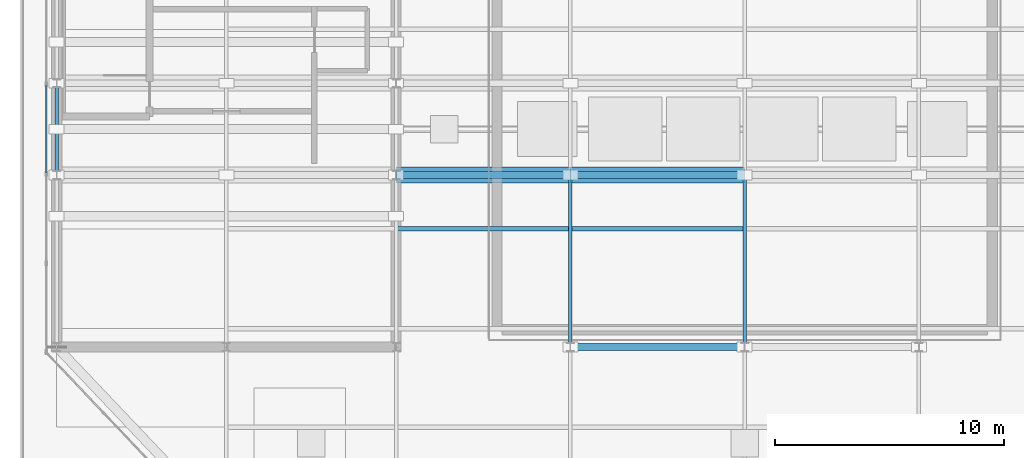
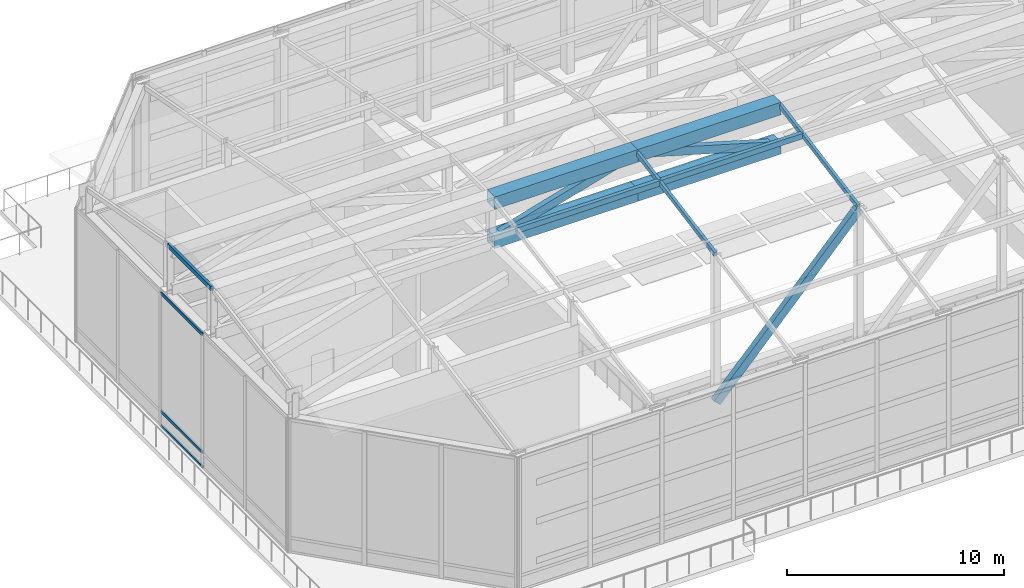
# One storey, part 7 of 25: 14 members, 1 element without a shape of its own.
"""IFC4 building model written with IfcOpenShell, lengths in metres."""

from ifc_helpers import new_model, si_unit, direction, frame, origin, origin_2d, place, context, subcontext, project, spatial, hollow_rectangle, extrude, source, transform, mapped, material, layer, layer_set, material_profile, profile_set, type_object, type_shapes, element, aggregate, save


model = new_model("IFC4")

# Units and contexts
model_context = context("Model", 3, precision=1e-05, world=origin(), true_north=direction((0.0, 1.0)))
body_context = subcontext(model_context, "Body", "Model", "MODEL_VIEW")
ifc_project = project(units=[si_unit("LENGTHUNIT", "METRE"), si_unit("AREAUNIT", "SQUARE_METRE"), si_unit("VOLUMEUNIT", "CUBIC_METRE"), si_unit("PLANEANGLEUNIT", "RADIAN"), si_unit("MASSUNIT", "GRAM", prefix="KILO")], contexts=[model_context])

# Site, building, storey
site_placement = place(None, origin())
site = spatial("IfcSite", under=ifc_project, at=site_placement, CompositionType="ELEMENT")
building_placement = place(site_placement, origin())
building = spatial("IfcBuilding", under=site, at=building_placement, Name="Haelvirn Gate Laboratories", CompositionType="ELEMENT")
storey_placement = place(building_placement, frame((0.0, 0.0, 337.800048828125)))
storey = spatial("IfcBuildingStorey", under=building, at=storey_placement, Name="RF", CompositionType="ELEMENT", Elevation=337.800048828125)

# Members
ifc_material_1 = material(Name="Steel SM420", Category="steel")
ifc_material_profile_1 = material_profile(ifc_material_1, hollow_rectangle(XDim=0.300048828125, YDim=0.449951171875, WallThickness=0.02001953125, at=origin_2d()), Name="BOX-450x300x20")
ifc_profile_set_1 = profile_set([ifc_material_profile_1], Name="Steel SM420")
member_type_1 = type_object("IfcMemberType", Name="MEM-CROWN-BR", PredefinedType="USERDEFINED", material=ifc_profile_set_1)
shared_shape_1 = source(origin(), body_context, "Body", "SweptSolid", [
    extrude(hollow_rectangle(XDim=0.300048828125, YDim=0.449951171875, WallThickness=0.02001953125, at=origin_2d()), origin(), (0.0, 0.0, 1.0), 11.1884765625),
])
member_1_placement = place(storey_placement, frame((29.800048828125, 14.800048828125, 0.300048828125), z_axis=(0.679259204287, 0.0, 0.733898448964), x_axis=(0.0, 1.0, 0.0)))
element("IfcMember", 1, at=member_1_placement, inside=storey, type_object=member_type_1, Name="RF Crown Frame Interior Brace S1", ObjectType="CROWN FRAME", PredefinedType="USERDEFINED", context=body_context, shape_type="MappedRepresentation", body=[
    mapped(shared_shape_1, transform((0.0, 0.0, 0.0), scale=1.0)),
])
ifc_material_profile_2 = material_profile(ifc_material_1, hollow_rectangle(XDim=0.699951171875, YDim=0.699951171875, WallThickness=0.031982421875, at=origin_2d()), Name="BOX-700x700x32")
ifc_profile_set_2 = profile_set([ifc_material_profile_2], Name="Steel SM420")
member_type_2 = type_object("IfcMemberType", Name="MEM-ARCH-RIB", PredefinedType="CHORD", material=ifc_profile_set_2)
shared_shape_2 = source(origin(), body_context, "Body", "SweptSolid", [
    extrude(hollow_rectangle(XDim=0.699951171875, YDim=0.699951171875, WallThickness=0.031982421875, at=origin_2d()), origin(), (0.0, 0.0, 1.0), 7.60009765625),
])
for number, where, z_axis, x_axis, name in (
    (2, (22.199951171875, 22.300048828125, 9.75537109375), (1.0, 0.0, 0.0), (0.0, 1.0, 0.0), "RF Vault Ridge Top Chord S-3"),
    (3, (22.199951171875, 22.300048828125, 7.550048828125), (1.0, 0.0, 0.0), (0.0, 1.0, 0.0), "RF Vault Ridge Bottom Chord S-3"),
):
    element("IfcMember", number, at=place(storey_placement, frame(where, z_axis=z_axis, x_axis=x_axis)), inside=storey, type_object=member_type_2, Name=name, PredefinedType="CHORD", context=body_context, shape_type="MappedRepresentation", body=[
        mapped(shared_shape_2, transform((0.0, 0.0, 0.0), scale=1.0)),
    ])
shared_shape_3 = source(origin(), body_context, "Body", "SweptSolid", [
    extrude(hollow_rectangle(XDim=0.300048828125, YDim=0.449951171875, WallThickness=0.02001953125, at=origin_2d()), origin(), (0.0, 0.0, 1.0), 7.91357421875),
])
member_2_placement = place(storey_placement, frame((22.199951171875, 22.300048828125, 7.550048828125), z_axis=(0.960385387725, 0.0, 0.278675271677), x_axis=(0.0, 1.0, 0.0)))
element("IfcMember", 4, at=member_2_placement, inside=storey, type_object=member_type_1, Name="RF Vault Ridge Truss Web S-3", ObjectType="CROWN FRAME", PredefinedType="USERDEFINED", context=body_context, shape_type="MappedRepresentation", body=[
    mapped(shared_shape_3, transform((0.0, 0.0, 0.0), scale=1.0)),
])
shared_shape_4 = source(origin(), body_context, "Body", "SweptSolid", [
    extrude(hollow_rectangle(XDim=0.699951171875, YDim=0.699951171875, WallThickness=0.031982421875, at=origin_2d()), origin(), (0.0, 0.0, 1.0), 7.599853515625),
])
type_shapes(member_type_2, [shared_shape_2, shared_shape_4])
for number, where, z_axis, x_axis, name in (
    (5, (29.800048828125, 22.300048828125, 9.75537109375), (1.0, 0.0, 0.0), (0.0, 1.0, 0.0), "RF Vault Ridge Top Chord S-4"),
    (6, (29.800048828125, 22.300048828125, 7.550048828125), (1.0, 0.0, 0.0), (0.0, 1.0, 0.0), "RF Vault Ridge Bottom Chord S-4"),
):
    element("IfcMember", number, at=place(storey_placement, frame(where, z_axis=z_axis, x_axis=x_axis)), inside=storey, type_object=member_type_2, Name=name, PredefinedType="CHORD", context=body_context, shape_type="MappedRepresentation", body=[
        mapped(shared_shape_4, transform((0.0, 0.0, 0.0), scale=1.0)),
    ])
shared_shape_5 = source(origin(), body_context, "Body", "SweptSolid", [
    extrude(hollow_rectangle(XDim=0.300048828125, YDim=0.449951171875, WallThickness=0.02001953125, at=origin_2d()), origin(), (0.0, 0.0, 1.0), 7.913330078125),
])
type_shapes(member_type_1, [shared_shape_1, shared_shape_3, shared_shape_5])
member_3_placement = place(storey_placement, frame((29.800048828125, 22.300048828125, 9.75537109375), z_axis=(0.960382991748, 0.0, -0.278683528686), x_axis=(0.0, 1.0, 0.0)))
element("IfcMember", 7, at=member_3_placement, inside=storey, type_object=member_type_1, Name="RF Vault Ridge Truss Web S-4", ObjectType="CROWN FRAME", PredefinedType="USERDEFINED", context=body_context, shape_type="MappedRepresentation", body=[
    mapped(shared_shape_5, transform((0.0, 0.0, 0.0), scale=1.0)),
])
ifc_material_2 = material(Name="Steel SM355", Category="steel")
ifc_material_profile_3 = material_profile(ifc_material_2, hollow_rectangle(XDim=0.14990234375, YDim=0.25, WallThickness=0.010009765625, at=origin_2d()), Name="RHS-250x150x10")
ifc_profile_set_3 = profile_set([ifc_material_profile_3], Name="Steel SM355")
member_type_3 = type_object("IfcMemberType", Name="MEM-CROWN-RAF", PredefinedType="RAFTER", material=ifc_profile_set_3)
shared_shape_6 = source(origin(), body_context, "Body", "SweptSolid", [
    extrude(hollow_rectangle(XDim=0.14990234375, YDim=0.25, WallThickness=0.010009765625, at=origin_2d()), origin(), (0.0, 0.0, 1.0), 7.626708984375),
])
for number, where, z_axis, x_axis, name in (
    (8, (29.800048828125, 14.800048828125, 8.571044921875), (0.0, 0.983390092547, 0.181504616691), (-1.0, 0.0, 0.0), "RF Vault Rafter Chord X29.8-2"),
    (9, (37.39990234375, 14.800048828125, 8.571044921875), (0.0, 0.983390092547, 0.181504616691), (-1.0, 0.0, 0.0), "RF Vault Rafter Chord X37.4-2"),
):
    element("IfcMember", number, at=place(storey_placement, frame(where, z_axis=z_axis, x_axis=x_axis)), inside=storey, type_object=member_type_3, Name=name, PredefinedType="RAFTER", context=body_context, shape_type="MappedRepresentation", body=[
        mapped(shared_shape_6, transform((0.0, 0.0, 0.0), scale=1.0)),
    ])
shared_shape_7 = source(origin(), body_context, "Body", "SweptSolid", [
    extrude(hollow_rectangle(XDim=0.14990234375, YDim=0.25, WallThickness=0.010009765625, at=origin_2d()), origin(), (0.0, 0.0, 1.0), 4.0),
])
type_shapes(member_type_3, [shared_shape_6, shared_shape_7])
member_4_placement = place(storey_placement, frame((7.39990234375, 22.300048828125, 9.955322265625), z_axis=(0.0, 1.0, 0.0), x_axis=(-1.0, 0.0, 0.0)))
element("IfcMember", 10, at=member_4_placement, inside=storey, type_object=member_type_3, Name="RF Vault End Rafter X7.4-2", PredefinedType="RAFTER", context=body_context, shape_type="MappedRepresentation", body=[
    mapped(shared_shape_7, transform((0.0, 0.0, 0.0), scale=1.0)),
])
ifc_material_profile_4 = material_profile(ifc_material_2, hollow_rectangle(XDim=0.199951171875, YDim=0.300048828125, WallThickness=0.011962890625, at=origin_2d()), Name="RHS-300x200x12")
ifc_profile_set_4 = profile_set([ifc_material_profile_4], Name="Steel SM355")
member_type_4 = type_object("IfcMemberType", Name="MEM-ROOF-PURL", PredefinedType="PURLIN", material=ifc_profile_set_4)
shared_shape_8 = source(origin(), body_context, "Body", "SweptSolid", [
    extrude(hollow_rectangle(XDim=0.199951171875, YDim=0.300048828125, WallThickness=0.011962890625, at=origin_2d()), origin(), (0.0, 0.0, 1.0), 15.199951171875),
])
type_shapes(member_type_4, [shared_shape_8])
member_5_placement = place(storey_placement, frame((22.199951171875, 19.949951171875, 9.5), z_axis=(1.0, 0.0, 0.0), x_axis=(0.0, 1.0, 0.0)))
element("IfcMember", 11, at=member_5_placement, inside=storey, type_object=member_type_4, Name="RF Vault Purlin 3 (22.2-37.4)", PredefinedType="PURLIN", context=body_context, shape_type="MappedRepresentation", body=[
    mapped(shared_shape_8, transform((0.0, 0.0, 0.0), scale=1.0)),
])

# Curtain wall, members
ifc_material_3 = material(Name="Anodised bronze unitised aluminium & triple low-E glass", Category="aluminium")
ifc_layer = layer(ifc_material_3, 0.19189453125, Name="CW-SYS-6")
ifc_layer_set = layer_set([ifc_layer], Name="Anodised bronze unitised aluminium & triple low-E glass")
curtain_wall_type = type_object("IfcCurtainWallType", Name="CW-SYS-6", PredefinedType="NOTDEFINED", material=ifc_layer_set)
curtain_wall_placement = place(storey_placement, origin())
curtain_wall = element("IfcCurtainWall", 12, at=curtain_wall_placement, inside=storey, type_object=curtain_wall_type, Name="RF Unitised Curtain Wall CW-RF-RING-06", PredefinedType="NOTDEFINED")
ifc_material_4 = material(Name="Extruded aluminium 6063-T6 (anodised bronze)", Category="aluminium")
ifc_material_profile_5 = material_profile(ifc_material_4, hollow_rectangle(XDim=0.070068359375, YDim=0.159912109375, WallThickness=0.0048828125, at=origin_2d()), Name="CWT-160x70x5")
ifc_profile_set_5 = profile_set([ifc_material_profile_5], Name="Extruded aluminium 6063-T6 (anodised bronze)")
member_type_5 = type_object("IfcMemberType", Name="CWT-T160", PredefinedType="USERDEFINED", material=ifc_profile_set_5)
shared_shape_9 = source(origin(), body_context, "Body", "SweptSolid", [
    extrude(hollow_rectangle(XDim=0.070068359375, YDim=0.159912109375, WallThickness=0.0048828125, at=origin_2d()), origin(), (0.0, 0.0, 1.0), 3.820068359375),
])
type_shapes(member_type_5, [shared_shape_9])
member_6_placement = place(storey_placement, frame((6.949951171875, 26.2099609375, 0.034912109375), z_axis=(0.0, -1.0, 0.0), x_axis=(1.0, 0.0, 0.0)))
member_6 = element("IfcMember", 13, at=member_6_placement, type_object=member_type_5, Name="CW6 transom 3.1", ObjectType="TRANSOM", PredefinedType="USERDEFINED", context=body_context, shape_type="MappedRepresentation", body=[
    mapped(shared_shape_9, transform((0.0, 0.0, 0.0), scale=1.0)),
])
member_7_placement = place(storey_placement, frame((6.949951171875, 26.2099609375, 0.849853515625), z_axis=(0.0, -1.0, 0.0), x_axis=(1.0, 0.0, 0.0)))
member_7 = element("IfcMember", 14, at=member_7_placement, type_object=member_type_5, Name="CW6 transom 3.2", ObjectType="TRANSOM", PredefinedType="USERDEFINED", context=body_context, shape_type="MappedRepresentation", body=[
    mapped(shared_shape_9, transform((0.0, 0.0, 0.0), scale=1.0)),
])
member_8_placement = place(storey_placement, frame((6.949951171875, 26.2099609375, 7.46484375), z_axis=(0.0, -1.0, 0.0), x_axis=(1.0, 0.0, 0.0)))
member_8 = element("IfcMember", 15, at=member_8_placement, type_object=member_type_5, Name="CW6 transom 3.3", ObjectType="TRANSOM", PredefinedType="USERDEFINED", context=body_context, shape_type="MappedRepresentation", body=[
    mapped(shared_shape_9, transform((0.0, 0.0, 0.0), scale=1.0)),
])
aggregate(curtain_wall, [member_6, member_7, member_8])

save(model, "model.ifc")
